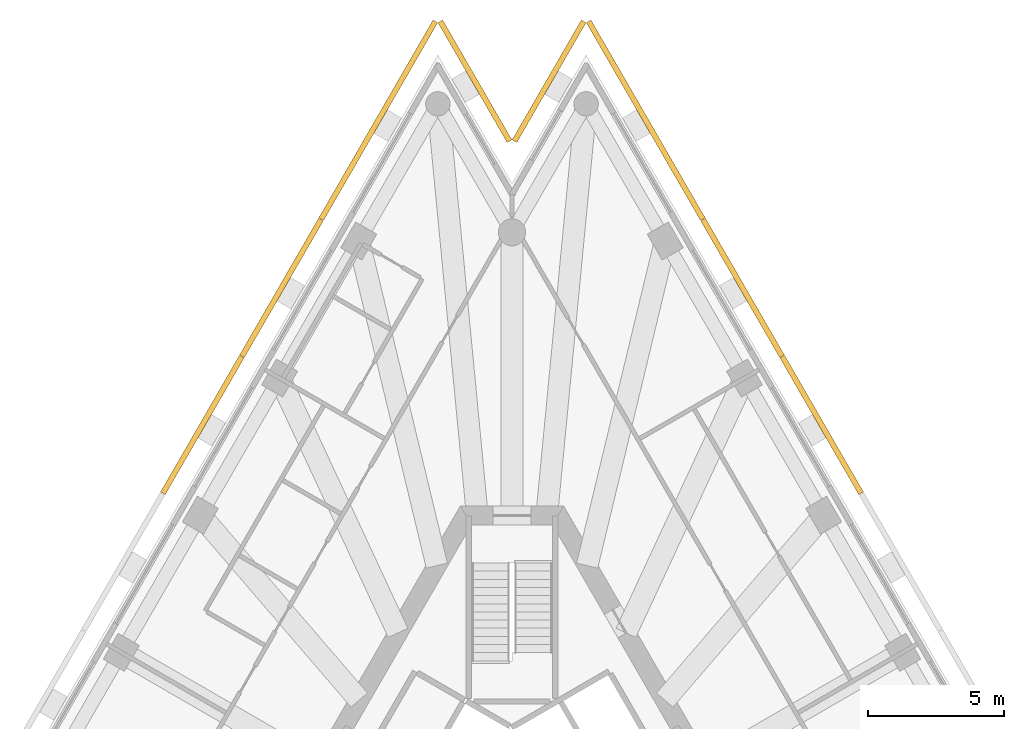
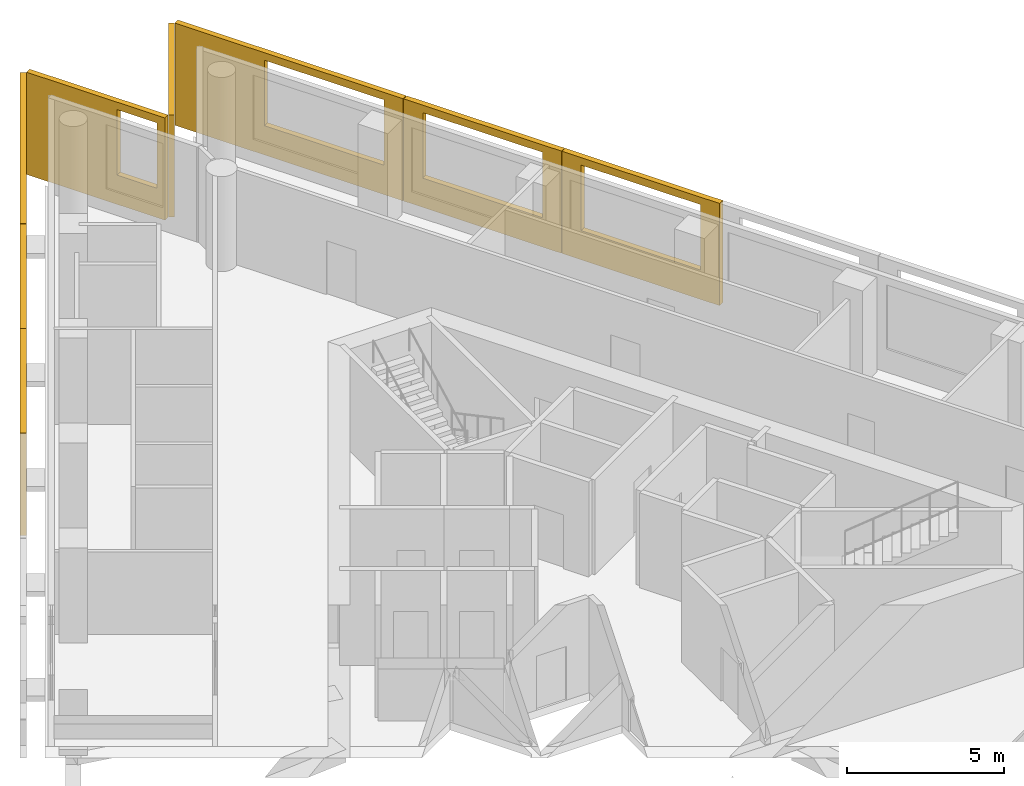
# One storey, part 10 of 10: 8 shading devices.
"""IFC4 building model written with IfcOpenShell, lengths in metres."""

from ifc_helpers import new_model, si_unit, direction, frame, origin, place, context, subcontext, project, spatial, polyline, outline, extrude, material, layer, layer_set, type_object, element, save


model = new_model("IFC4")

# Units and contexts
model_context = context("Model", 3, precision=1e-05, world=origin(), true_north=direction((0.0, 1.0)))
body_context = subcontext(model_context, "Body", "Model", "MODEL_VIEW")
ifc_project = project(units=[si_unit("LENGTHUNIT", "METRE"), si_unit("AREAUNIT", "SQUARE_METRE"), si_unit("VOLUMEUNIT", "CUBIC_METRE"), si_unit("PLANEANGLEUNIT", "RADIAN"), si_unit("MASSUNIT", "GRAM", prefix="KILO")], contexts=[model_context])

# Site, building, storey
site_placement = place(None, origin())
site = spatial("IfcSite", under=ifc_project, at=site_placement, CompositionType="ELEMENT")
building_placement = place(site_placement, origin())
building = spatial("IfcBuilding", under=site, at=building_placement, Name="Triada Interchange Tower", CompositionType="ELEMENT")
storey_placement = place(building_placement, frame((0.0, 0.0, 243.300048828125)))
storey = spatial("IfcBuildingStorey", under=building, at=storey_placement, Name="L57", CompositionType="ELEMENT", Elevation=243.300048828125)

# Shading devices
ifc_material = material(Name="Concrete C50/60 precast", Category="concrete")
ifc_layer_1 = layer(ifc_material, 0.02001953125, Name="Exposed aggregate face")
ifc_layer_2 = layer(ifc_material, 0.179931640625, Name="Precast concrete screen")
ifc_layer_set = layer_set([ifc_layer_1, ifc_layer_2], Name="Outer skin screen panel 3980")
shading_device_type = type_object("IfcShadingDeviceType", Name="Outer skin screen panel 3980", PredefinedType="SHUTTER", material=ifc_layer_set)
shading_device_1_placement = place(storey_placement, frame((-2.737060546875, 31.508056640625, -0.2900390625), z_axis=(0.0, 0.0, 1.0), x_axis=(-0.499951117002, -0.866053624557, 0.0)))
element("IfcShadingDevice", 1, at=shading_device_1_placement, inside=storey, type_object=shading_device_type, Name="Outer skin screen panel L57 01", PredefinedType="SHUTTER", context=body_context, shape_type="SweptSolid", body=[
    extrude(outline(polyline([(0.0, 0.0), (8.410400390625, 0.0), (8.410400390625, 3.97998046875), (0.0, 3.97998046875), (0.0, 0.0)]), holes=[polyline([(3.3046875, 1.139892578125), (3.3046875, 3.68994140625), (7.70458984375, 3.68994140625), (7.70458984375, 1.139892578125), (3.3046875, 1.139892578125)])]), frame((0.0, 0.0, 0.0), z_axis=(0.0, -1.0, 0.0), x_axis=(1.0, 0.0, 0.0)), (0.0, 0.0, 1.0), 0.199951171875),
])
shading_device_2_placement = place(storey_placement, frame((-6.951904296875, 24.20703125, -0.2900390625), z_axis=(0.0, 0.0, 1.0), x_axis=(-0.500082362009, -0.865977846834, 0.0)))
element("IfcShadingDevice", 2, at=shading_device_2_placement, inside=storey, type_object=shading_device_type, Name="Outer skin screen panel L57 02", PredefinedType="SHUTTER", context=body_context, shape_type="SweptSolid", body=[
    extrude(outline(polyline([(0.0, 0.0), (5.81298828125, 0.0), (5.81298828125, 3.97998046875), (0.0, 3.97998046875), (0.0, 0.0)]), holes=[polyline([(0.705810546875, 1.139892578125), (0.705810546875, 3.68994140625), (5.10595703125, 3.68994140625), (5.10595703125, 1.139892578125), (0.705810546875, 1.139892578125)])]), frame((0.0, 0.0, 0.0), z_axis=(0.0, -1.0, 0.0), x_axis=(1.0, 0.0, 0.0)), (0.0, 0.0, 1.0), 0.199951171875),
])
shading_device_3_placement = place(storey_placement, frame((-9.868896484375, 19.156005859375, -0.2900390625), z_axis=(0.0, 0.0, 1.0), x_axis=(-0.499956362902, -0.866050596209, 0.0)))
element("IfcShadingDevice", 3, at=shading_device_3_placement, inside=storey, type_object=shading_device_type, Name="Outer skin screen panel L57 03", PredefinedType="SHUTTER", context=body_context, shape_type="SweptSolid", body=[
    extrude(outline(polyline([(0.0, 0.0), (5.8125, 0.0), (5.8125, 3.97998046875), (0.0, 3.97998046875), (0.0, 0.0)]), holes=[polyline([(0.706298828125, 1.139892578125), (0.706298828125, 3.68994140625), (5.106201171875, 3.68994140625), (5.106201171875, 1.139892578125), (0.706298828125, 1.139892578125)])]), frame((0.0, 0.0, 0.0), z_axis=(0.0, -1.0, 0.0), x_axis=(1.0, 0.0, 0.0)), (0.0, 0.0, 1.0), 0.199951171875),
])
shading_device_4_placement = place(storey_placement, frame((12.77490234375, 14.1220703125, -0.2900390625), z_axis=(0.0, 0.0, 1.0), x_axis=(-0.499956362902, 0.866050596209, 0.0)))
element("IfcShadingDevice", 4, at=shading_device_4_placement, inside=storey, type_object=shading_device_type, Name="Outer skin screen panel L57 26", PredefinedType="SHUTTER", context=body_context, shape_type="SweptSolid", body=[
    extrude(outline(polyline([(0.0, 0.0), (5.8125, 0.0), (5.8125, 3.97998046875), (0.0, 3.97998046875), (0.0, 0.0)]), holes=[polyline([(0.7060546875, 1.139892578125), (0.7060546875, 3.68994140625), (5.106201171875, 3.68994140625), (5.106201171875, 1.139892578125), (0.7060546875, 1.139892578125)])]), frame((0.0, 0.0, 0.0), z_axis=(0.0, -1.0, 0.0), x_axis=(1.0, 0.0, 0.0)), (0.0, 0.0, 1.0), 0.199951171875),
])
shading_device_5_placement = place(storey_placement, frame((9.85888671875, 19.173095703125, -0.2900390625), z_axis=(0.0, 0.0, 1.0), x_axis=(-0.500082362009, 0.865977846834, 0.0)))
element("IfcShadingDevice", 5, at=shading_device_5_placement, inside=storey, type_object=shading_device_type, Name="Outer skin screen panel L57 27", PredefinedType="SHUTTER", context=body_context, shape_type="SweptSolid", body=[
    extrude(outline(polyline([(0.0, 0.0), (5.81298828125, 0.0), (5.81298828125, 3.97998046875), (0.0, 3.97998046875), (0.0, 0.0)]), holes=[polyline([(0.706298828125, 1.139892578125), (0.706298828125, 3.68994140625), (5.1064453125, 3.68994140625), (5.1064453125, 1.139892578125), (0.706298828125, 1.139892578125)])]), frame((0.0, 0.0, 0.0), z_axis=(0.0, -1.0, 0.0), x_axis=(1.0, 0.0, 0.0)), (0.0, 0.0, 1.0), 0.199951171875),
])
shading_device_6_placement = place(storey_placement, frame((6.94189453125, 24.22412109375, -0.2900390625), z_axis=(0.0, 0.0, 1.0), x_axis=(-0.499951117002, 0.866053624557, 0.0)))
element("IfcShadingDevice", 6, at=shading_device_6_placement, inside=storey, type_object=shading_device_type, Name="Outer skin screen panel L57 28", PredefinedType="SHUTTER", context=body_context, shape_type="SweptSolid", body=[
    extrude(outline(polyline([(0.0, 0.0), (8.410400390625, 0.0), (8.410400390625, 3.97998046875), (0.0, 3.97998046875), (0.0, 0.0)]), holes=[polyline([(0.705810546875, 1.139892578125), (0.705810546875, 3.68994140625), (5.105712890625, 3.68994140625), (5.105712890625, 1.139892578125), (0.705810546875, 1.139892578125)])]), frame((0.0, 0.0, 0.0), z_axis=(0.0, -1.0, 0.0), x_axis=(1.0, 0.0, 0.0)), (0.0, 0.0, 1.0), 0.199951171875),
])
shading_device_7_placement = place(storey_placement, frame((2.72705078125, 31.508056640625, -0.2900390625), z_axis=(0.0, 0.0, 1.0), x_axis=(-0.500090059957, -0.8659734014, 0.0)))
element("IfcShadingDevice", 7, at=shading_device_7_placement, inside=storey, type_object=shading_device_type, Name="Outer skin screen panel L57 29", PredefinedType="SHUTTER", context=body_context, shape_type="SweptSolid", body=[
    extrude(outline(polyline([(0.0, 0.0), (5.09716796875, 0.0), (5.09716796875, 3.97998046875), (0.0, 3.97998046875), (0.0, 0.0)]), holes=[polyline([(3.175537109375, 1.139892578125), (3.175537109375, 3.68994140625), (4.797607421875, 3.68994140625), (4.797607421875, 1.139892578125), (3.175537109375, 1.139892578125)])]), frame((0.0, 0.0, 0.0), z_axis=(0.0, -1.0, 0.0), x_axis=(1.0, 0.0, 0.0)), (0.0, 0.0, 1.0), 0.199951171875),
])
shading_device_8_placement = place(storey_placement, frame((-0.177978515625, 27.093994140625, -0.2900390625), z_axis=(0.0, 0.0, 1.0), x_axis=(-0.500090059957, 0.8659734014, 0.0)))
element("IfcShadingDevice", 8, at=shading_device_8_placement, inside=storey, type_object=shading_device_type, Name="Outer skin screen panel L57 30", PredefinedType="SHUTTER", context=body_context, shape_type="SweptSolid", body=[
    extrude(outline(polyline([(0.0, 0.0), (5.09716796875, 0.0), (5.09716796875, 3.97998046875), (0.0, 3.97998046875), (0.0, 0.0)]), holes=[polyline([(0.300048828125, 1.139892578125), (0.300048828125, 3.68994140625), (1.7578125, 3.68994140625), (1.7578125, 1.139892578125), (0.300048828125, 1.139892578125)])]), frame((0.0, 0.0, 0.0), z_axis=(0.0, -1.0, 0.0), x_axis=(1.0, 0.0, 0.0)), (0.0, 0.0, 1.0), 0.199951171875),
])

save(model, "model.ifc")
